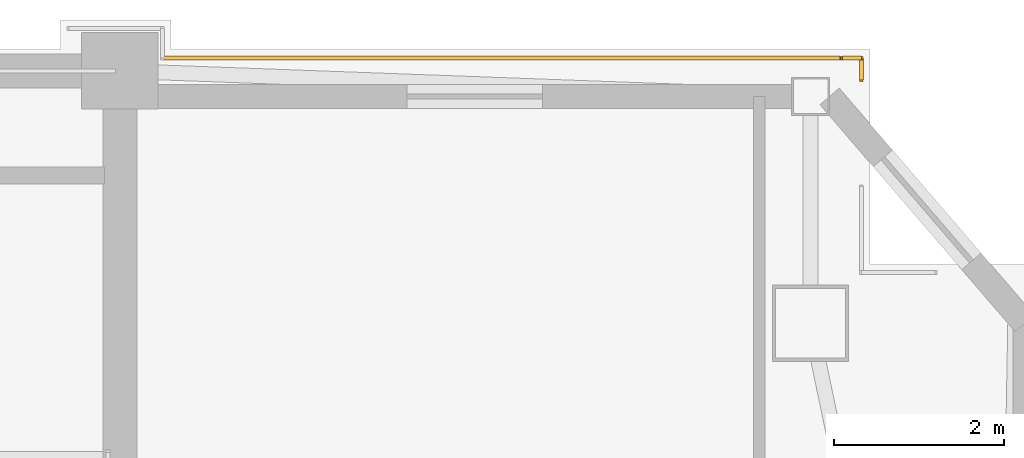
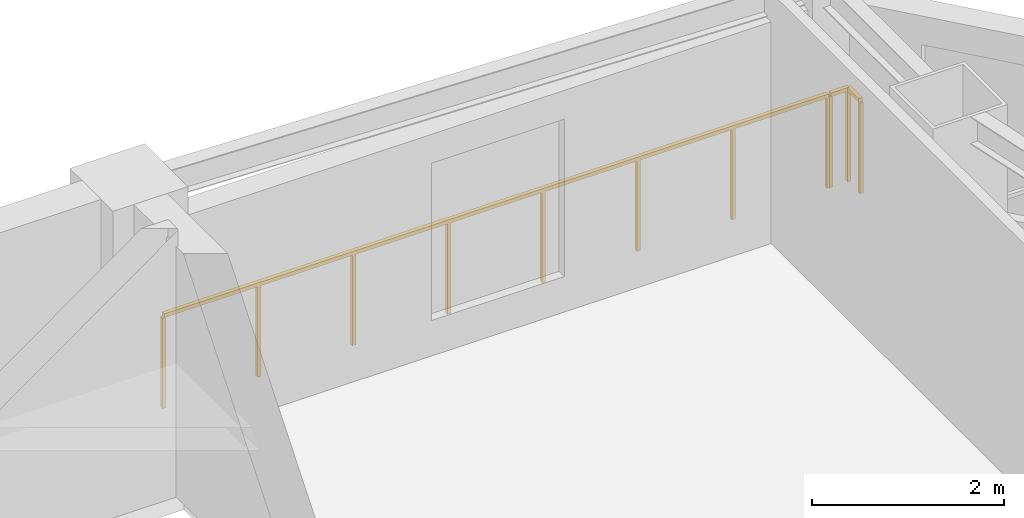
# One storey, part 17 of 17: 3 railings.
"""IFC4 building model written with IfcOpenShell, lengths in metres."""

from ifc_helpers import new_model, si_unit, direction, frame, origin, origin_2d, place, context, subcontext, project, spatial, rectangle, extrude, material, type_object, element, save


model = new_model("IFC4")

# Units and contexts
model_context = context("Model", 3, precision=1e-05, world=origin(), true_north=direction((0.0, 1.0)))
body_context = subcontext(model_context, "Body", "Model", "MODEL_VIEW")
ifc_project = project(units=[si_unit("LENGTHUNIT", "METRE"), si_unit("AREAUNIT", "SQUARE_METRE"), si_unit("VOLUMEUNIT", "CUBIC_METRE"), si_unit("PLANEANGLEUNIT", "RADIAN"), si_unit("MASSUNIT", "GRAM", prefix="KILO")], contexts=[model_context])

# Site, building, storey
site_placement = place(None, origin())
site = spatial("IfcSite", under=ifc_project, at=site_placement, CompositionType="ELEMENT")
building_placement = place(site_placement, origin())
building = spatial("IfcBuilding", under=site, at=building_placement, Name="Giltprow Tower", CompositionType="ELEMENT")
storey_placement = place(building_placement, frame((0.0, 0.0, 268.89990234375)))
storey = spatial("IfcBuildingStorey", under=building, at=storey_placement, Name="L69", CompositionType="ELEMENT", Elevation=268.89990234375)

# Railings
ifc_material = material(Name="Anodized bronze", Category="metal")
railing_type = type_object("IfcRailingType", Name="RAIL-BALC-GUARD-1200", PredefinedType="BALUSTRADE", material=ifc_material)
railing_1_placement = place(storey_placement, frame((51.050048828125, 46.699951171875, 0.0)))
element("IfcRailing", 1, at=railing_1_placement, inside=storey, type_object=railing_type, Name="L69 Corner Apron Edge Balustrade 24", PredefinedType="BALUSTRADE", context=body_context, shape_type="SweptSolid", body=[
    extrude(rectangle(XDim=0.048095703125, YDim=0.048095703125, at=origin_2d()), frame((0.0, 0.0, 1.17578125), z_axis=(1.0, 0.0, 0.0), x_axis=(0.0, 1.0, 0.0)), (0.0, 0.0, 1.0), 7.98388671875),
    extrude(rectangle(XDim=0.0419921875, YDim=0.0419921875, at=origin_2d()), origin(), (0.0, 0.0, 1.0), 1.15185546875),
    extrude(rectangle(XDim=0.0419921875, YDim=0.0419921875, at=origin_2d()), frame((1.140625, 0.0, 0.0)), (0.0, 0.0, 1.0), 1.15185546875),
    extrude(rectangle(XDim=0.0419921875, YDim=0.0419921875, at=origin_2d()), frame((2.281005859375, 0.0, 0.0)), (0.0, 0.0, 1.0), 1.15185546875),
    extrude(rectangle(XDim=0.0419921875, YDim=0.0419921875, at=origin_2d()), frame((3.421630859375, 0.0, 0.0)), (0.0, 0.0, 1.0), 1.15185546875),
    extrude(rectangle(XDim=0.0419921875, YDim=0.0419921875, at=origin_2d()), frame((4.562255859375, 0.0, 0.0)), (0.0, 0.0, 1.0), 1.15185546875),
    extrude(rectangle(XDim=0.0419921875, YDim=0.0419921875, at=origin_2d()), frame((5.702880859375, 0.0, 0.0)), (0.0, 0.0, 1.0), 1.15185546875),
    extrude(rectangle(XDim=0.0419921875, YDim=0.0419921875, at=origin_2d()), frame((6.84326171875, 0.0, 0.0)), (0.0, 0.0, 1.0), 1.15185546875),
    extrude(rectangle(XDim=0.0419921875, YDim=0.0419921875, at=origin_2d()), frame((7.98388671875, 0.0, 0.0)), (0.0, 0.0, 1.0), 1.15185546875),
])
railing_2_placement = place(storey_placement, frame((59.06298828125, 46.699951171875, 0.0)))
element("IfcRailing", 2, at=railing_2_placement, inside=storey, type_object=railing_type, Name="L69 Corner Apron Edge Balustrade 25", PredefinedType="BALUSTRADE", context=body_context, shape_type="SweptSolid", body=[
    extrude(rectangle(XDim=0.048095703125, YDim=0.048095703125, at=origin_2d()), frame((0.0, 0.0, 1.17578125), z_axis=(1.0, 0.0, 0.0), x_axis=(0.0, 1.0, 0.0)), (0.0, 0.0, 1.0), 0.219970703125),
    extrude(rectangle(XDim=0.0419921875, YDim=0.0419921875, at=origin_2d()), origin(), (0.0, 0.0, 1.0), 1.15185546875),
    extrude(rectangle(XDim=0.0419921875, YDim=0.0419921875, at=origin_2d()), frame((0.219970703125, 0.0, 0.0)), (0.0, 0.0, 1.0), 1.15185546875),
])
railing_3_placement = place(storey_placement, frame((59.282958984375, 46.699951171875, 0.0)))
element("IfcRailing", 3, at=railing_3_placement, inside=storey, type_object=railing_type, Name="L69 Corner Apron Edge Balustrade 26", PredefinedType="BALUSTRADE", context=body_context, shape_type="SweptSolid", body=[
    extrude(rectangle(XDim=0.048095703125, YDim=0.048095703125, at=origin_2d()), frame((0.0, 0.0, 1.17578125), z_axis=(0.0, -1.0, 0.0), x_axis=(1.0, 0.0, 0.0)), (0.0, 0.0, 1.0), 0.255859375),
    extrude(rectangle(XDim=0.0419921875, YDim=0.0419921875, at=origin_2d()), origin(), (0.0, 0.0, 1.0), 1.15185546875),
    extrude(rectangle(XDim=0.0419921875, YDim=0.0419921875, at=origin_2d()), frame((0.0, -0.255859375, 0.0)), (0.0, 0.0, 1.0), 1.15185546875),
])

save(model, "model.ifc")
